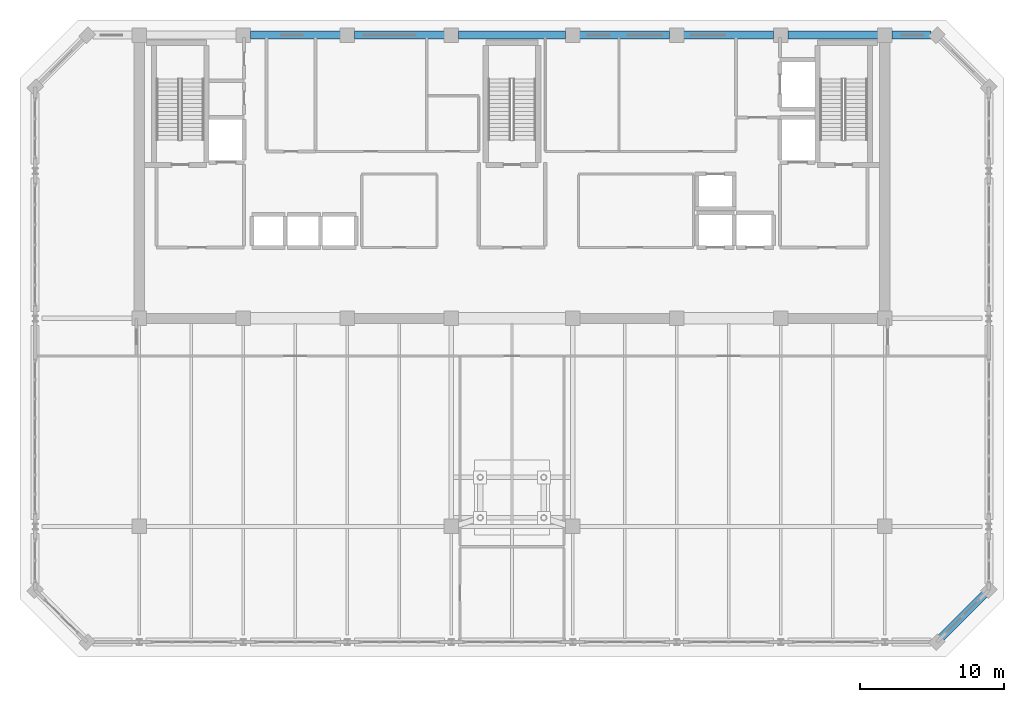
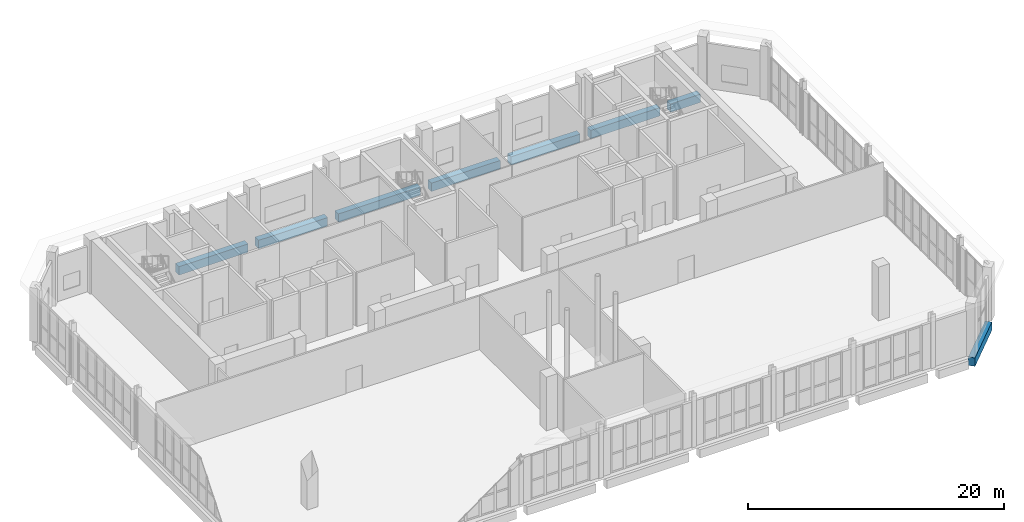
# One storey, part 13 of 26: 8 beams.
"""IFC4 building model written with IfcOpenShell, lengths in metres."""

from ifc_helpers import new_model, si_unit, direction, frame, origin, origin_2d, place, context, subcontext, project, spatial, rectangle, extrude, material, material_profile, profile_set, type_object, element, save


model = new_model("IFC4")

# Units and contexts
model_context = context("Model", 3, precision=1e-05, world=origin(), true_north=direction((0.0, 1.0)))
body_context = subcontext(model_context, "Body", "Model", "MODEL_VIEW")
ifc_project = project(units=[si_unit("LENGTHUNIT", "METRE"), si_unit("AREAUNIT", "SQUARE_METRE"), si_unit("VOLUMEUNIT", "CUBIC_METRE"), si_unit("PLANEANGLEUNIT", "RADIAN"), si_unit("MASSUNIT", "GRAM", prefix="KILO")], contexts=[model_context])

# Site, building, storey
site_placement = place(None, origin())
site = spatial("IfcSite", under=ifc_project, at=site_placement, CompositionType="ELEMENT")
building_placement = place(site_placement, origin())
building = spatial("IfcBuilding", under=site, at=building_placement, Name="Kaelvorn Grand Hotel", CompositionType="ELEMENT")
storey_placement = place(building_placement, frame((0.0, 0.0, 294.699951171875)))
storey = spatial("IfcBuildingStorey", under=building, at=storey_placement, Name="L72", CompositionType="ELEMENT", Elevation=294.699951171875)

# Beams
ifc_material = material(Name="Concrete C50/60", Category="concrete")
ifc_material_profile = material_profile(ifc_material, rectangle(XDim=0.550048828125, YDim=0.800048828125, at=origin_2d()), Name="RC SPANDREL 550x800")
ifc_profile_set = profile_set([ifc_material_profile], Name="Concrete C50/60")
beam_type = type_object("IfcBeamType", Name="BM-SP-550x800-C50", PredefinedType="SPANDREL", material=ifc_profile_set)
for number, where, z_axis, x_axis, name in (
    (1, (23.885009765625, 49.0, -0.780029296875), (1.0, 0.0, 0.0), (0.0, 1.0, 0.0), "L72 North Perimeter Spandrel 03"),
    (2, (31.0849609375, 49.0, -0.780029296875), (1.0, 0.0, 0.0), (0.0, 1.0, 0.0), "L72 North Perimeter Spandrel 04"),
):
    element("IfcBeam", number, at=place(storey_placement, frame(where, z_axis=z_axis, x_axis=x_axis)), inside=storey, type_object=beam_type, Name=name, PredefinedType="SPANDREL", context=body_context, shape_type="SweptSolid", body=[
        extrude(rectangle(XDim=0.550048828125, YDim=0.800048828125, at=origin_2d()), origin(), (0.0, 0.0, 1.0), 6.22998046875),
    ])
beam_1_placement = place(storey_placement, frame((38.284912109375, 49.0, -0.780029296875), z_axis=(1.0, 0.0, 0.0), x_axis=(0.0, 1.0, 0.0)))
element("IfcBeam", 3, at=beam_1_placement, inside=storey, type_object=beam_type, Name="L72 North Perimeter Spandrel 05", PredefinedType="SPANDREL", context=body_context, shape_type="SweptSolid", body=[
    extrude(rectangle(XDim=0.550048828125, YDim=0.800048828125, at=origin_2d()), origin(), (0.0, 0.0, 1.0), 7.43017578125),
])
for number, where, z_axis, x_axis, name in (
    (4, (46.68505859375, 49.0, -0.780029296875), (1.0, 0.0, 0.0), (0.0, 1.0, 0.0), "L72 North Perimeter Spandrel 06"),
    (5, (53.885009765625, 49.0, -0.780029296875), (1.0, 0.0, 0.0), (0.0, 1.0, 0.0), "L72 North Perimeter Spandrel 07"),
    (6, (61.0849609375, 49.0, -0.780029296875), (1.0, 0.0, 0.0), (0.0, 1.0, 0.0), "L72 North Perimeter Spandrel 08"),
):
    element("IfcBeam", number, at=place(storey_placement, frame(where, z_axis=z_axis, x_axis=x_axis)), inside=storey, type_object=beam_type, Name=name, PredefinedType="SPANDREL", context=body_context, shape_type="SweptSolid", body=[
        extrude(rectangle(XDim=0.550048828125, YDim=0.800048828125, at=origin_2d()), origin(), (0.0, 0.0, 1.0), 6.22998046875),
    ])
beam_2_placement = place(storey_placement, frame((68.284912109375, 49.0, -0.780029296875), z_axis=(1.0, 0.0, 0.0), x_axis=(0.0, 1.0, 0.0)))
element("IfcBeam", 7, at=beam_2_placement, inside=storey, type_object=beam_type, Name="L72 North Perimeter Spandrel 09", PredefinedType="SPANDREL", context=body_context, shape_type="SweptSolid", body=[
    extrude(rectangle(XDim=0.550048828125, YDim=0.800048828125, at=origin_2d()), origin(), (0.0, 0.0, 1.0), 2.710205078125),
])
beam_3_placement = place(storey_placement, frame((71.39990234375, 7.0, -0.780029296875), z_axis=(0.707106781187, 0.707106781187, 0.0), x_axis=(-0.707106781187, 0.707106781187, 0.0)))
element("IfcBeam", 8, at=beam_3_placement, inside=storey, type_object=beam_type, Name="L72 Chamfer Spandrel Beam 1", PredefinedType="SPANDREL", context=body_context, shape_type="SweptSolid", body=[
    extrude(rectangle(XDim=0.550048828125, YDim=0.800048828125, at=origin_2d()), origin(), (0.0, 0.0, 1.0), 5.09130859375),
])

save(model, "model.ifc")
